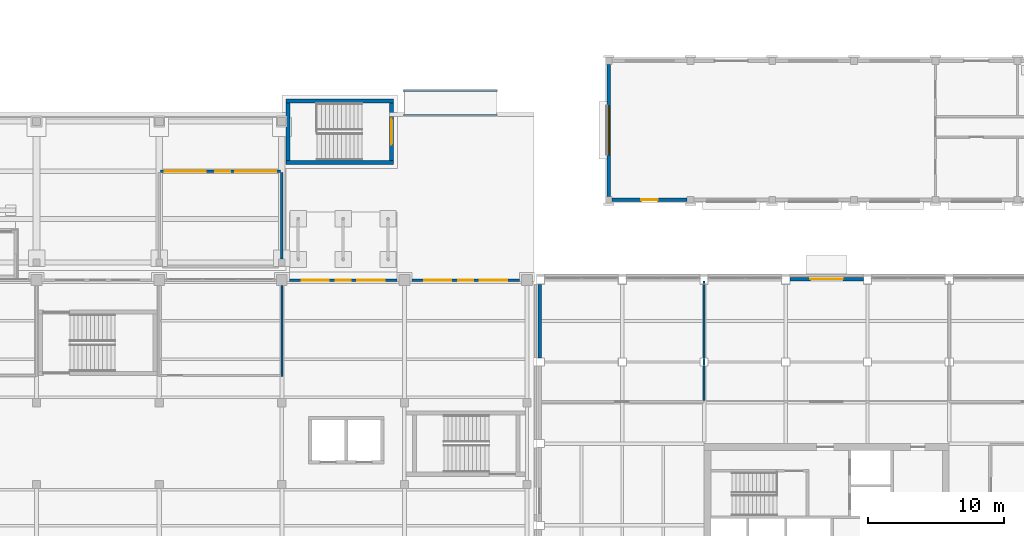
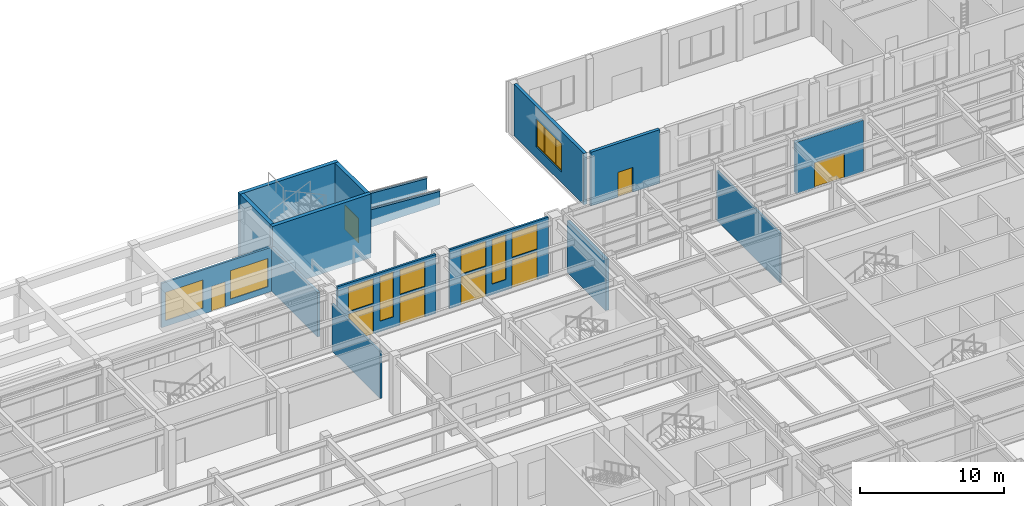
# One storey, part 51 of 77: 16 walls, 9 windows, 8 doors, 17 openings.
"""IFC4 building model written with IfcOpenShell, lengths in metres."""

from ifc_helpers import new_model, si_unit, direction, frame, frame_2d, origin, place, context, subcontext, project, spatial, polyline, rectangle, outline, extrude, material, layer, layer_set, type_object, element, fill, save


model = new_model("IFC4")

# Units and contexts
model_context = context("Model", 3, precision=1e-05, world=origin(), true_north=direction((0.0, 1.0)))
body_context = subcontext(model_context, "Body", "Model", "MODEL_VIEW")
ifc_project = project(units=[si_unit("LENGTHUNIT", "METRE"), si_unit("AREAUNIT", "SQUARE_METRE"), si_unit("VOLUMEUNIT", "CUBIC_METRE"), si_unit("PLANEANGLEUNIT", "RADIAN"), si_unit("MASSUNIT", "GRAM", prefix="KILO")], contexts=[model_context])

# Site, building, storey
site_placement = place(None, origin())
site = spatial("IfcSite", under=ifc_project, at=site_placement, CompositionType="ELEMENT")
building_placement = place(site_placement, origin())
building = spatial("IfcBuilding", under=site, at=building_placement, Name="Aravalli Gate Trade Fair Centre", CompositionType="ELEMENT")
storey_placement = place(building_placement, origin())
storey = spatial("IfcBuildingStorey", under=building, at=storey_placement, Name="L00", CompositionType="ELEMENT", Elevation=0.0)

# Wall
ifc_material_1 = material(Name="Concrete block masonry", Category="masonry")
ifc_layer_1 = layer(ifc_material_1, 0.199951171875)
ifc_layer_set_1 = layer_set([ifc_layer_1], Name="Concrete block masonry")
wall_type_1 = type_object("IfcWallType", Name="Arcade rear wall 200", PredefinedType="STANDARD", material=ifc_layer_set_1)
wall_1_placement = place(storey_placement, frame((141.0, 134.550048828125, 0.0), z_axis=(0.0, 0.0, 1.0), x_axis=(0.0, 1.0, 0.0)))
element("IfcWall", 1, at=wall_1_placement, inside=storey, type_object=wall_type_1, Name="Arcade side wall info E", PredefinedType="STANDARD", context=body_context, shape_type="SweptSolid", body=[
    extrude(rectangle(XDim=6.369873046875, YDim=0.199951171875, at=frame_2d((3.18505859375, 0.0))), origin(), (0.0, 0.0, 1.0), 3.75),
])

# Wall, openings, door, windows
ifc_material_2 = material(Name="Aluminium frame with glass", Category="aluminium")
ifc_layer_2 = layer(ifc_material_2, 0.159912109375)
ifc_layer_set_2 = layer_set([ifc_layer_2], Name="Aluminium frame with glass")
wall_type_2 = type_object("IfcWallType", Name="Arcade shopfront wall 160", PredefinedType="STANDARD", material=ifc_layer_set_2)
wall_2_placement = place(storey_placement, frame((132.10009765625, 141.0, 0.0), z_axis=(0.0, 0.0, 1.0), x_axis=(1.0, 0.0, 0.0)))
wall_2 = element("IfcWall", 2, at=wall_2_placement, inside=storey, type_object=wall_type_2, Name="Arcade shopfront info", PredefinedType="STANDARD", context=body_context, shape_type="SweptSolid", body=[
    extrude(rectangle(XDim=8.7998046875, YDim=0.159912109375, at=frame_2d((4.39990234375, 0.0))), origin(), (0.0, 0.0, 1.0), 3.75),
])
opening_1_placement = place(wall_2_placement, frame((4.0, 0.0, 0.0)))
opening_1 = element("IfcOpeningElement", 3, at=opening_1_placement, cuts=wall_2, Name="Opening P-L00-01", PredefinedType="OPENING", context=body_context, shape_type="SweptSolid", body=[
    extrude(rectangle(XDim=1.10009765625, YDim=2.10009765625, at=frame_2d((0.550048828125, 1.050048828125))), frame((0.0, 0.08984375, 0.0), z_axis=(0.0, -1.0, 0.0), x_axis=(1.0, 0.0, 0.0)), (0.0, 0.0, 1.0), 0.179931640625),
])
opening_2_placement = place(wall_2_placement, frame((0.300048828125, 0.0, 0.5)))
opening_2 = element("IfcOpeningElement", 4, at=opening_2_placement, cuts=wall_2, Name="Opening AWN1", PredefinedType="OPENING", context=body_context, shape_type="SweptSolid", body=[
    extrude(rectangle(XDim=3.0, YDim=2.39990234375, at=frame_2d((1.5, 1.199951171875))), frame((0.0, 0.08984375, 0.0), z_axis=(0.0, -1.0, 0.0), x_axis=(1.0, 0.0, 0.0)), (0.0, 0.0, 1.0), 0.179931640625),
])
opening_3_placement = place(wall_2_placement, frame((5.5, 0.0, 0.5)))
opening_3 = element("IfcOpeningElement", 5, at=opening_3_placement, cuts=wall_2, Name="Opening AWN1", PredefinedType="OPENING", context=body_context, shape_type="SweptSolid", body=[
    extrude(rectangle(XDim=3.0, YDim=2.39990234375, at=frame_2d((1.5, 1.199951171875))), frame((0.0, 0.08984375, 0.0), z_axis=(0.0, -1.0, 0.0), x_axis=(1.0, 0.0, 0.0)), (0.0, 0.0, 1.0), 0.179931640625),
])
ifc_material_3 = material(Name="Aluminium and glass", Category="aluminium")
door_type_1 = type_object("IfcDoorType", Name="Arcade door, single 1100 x 2100", OperationType="SINGLE_SWING_LEFT", PredefinedType="NOTDEFINED", material=ifc_material_3)
door_1_placement = place(opening_1_placement, origin())
door_1 = element("IfcDoor", 6, at=door_1_placement, inside=storey, type_object=door_type_1, Name="Information desk door", OperationType="SINGLE_SWING_LEFT", OverallHeight=2.10009765625, OverallWidth=1.10009765625, PredefinedType="NOTDEFINED", context=body_context, shape_type="SweptSolid", body=[
    extrude(rectangle(XDim=1.10009765625, YDim=2.10009765625, at=frame_2d((0.550048828125, 1.050048828125))), frame((0.0, 0.02490234375, 0.0), z_axis=(0.0, -1.0, 0.0), x_axis=(1.0, 0.0, 0.0)), (0.0, 0.0, 1.0), 0.050048828125),
])
fill(opening_1, door_1)
window_type_1 = type_object("IfcWindowType", Name="Arcade shopfront glazing 3000 x 2400", PartitioningType="SINGLE_PANEL", PredefinedType="WINDOW", material=ifc_material_3)
window_1_placement = place(opening_2_placement, origin())
window_1 = element("IfcWindow", 7, at=window_1_placement, inside=storey, type_object=window_type_1, Name="Information desk window 1", OverallHeight=2.39990234375, OverallWidth=3.0, PartitioningType="SINGLE_PANEL", PredefinedType="WINDOW", context=body_context, shape_type="SweptSolid", body=[
    extrude(rectangle(XDim=3.0, YDim=2.39990234375, at=frame_2d((1.5, 1.199951171875))), frame((0.0, 0.030029296875, 0.0), z_axis=(0.0, -1.0, 0.0), x_axis=(1.0, 0.0, 0.0)), (0.0, 0.0, 1.0), 0.06005859375),
])
fill(opening_2, window_1)
window_2_placement = place(opening_3_placement, origin())
window_2 = element("IfcWindow", 8, at=window_2_placement, inside=storey, type_object=window_type_1, Name="Information desk window 2", OverallHeight=2.39990234375, OverallWidth=3.0, PartitioningType="SINGLE_PANEL", PredefinedType="WINDOW", context=body_context, shape_type="SweptSolid", body=[
    extrude(rectangle(XDim=3.0, YDim=2.39990234375, at=frame_2d((1.5, 1.199951171875))), frame((0.0, 0.030029296875, 0.0), z_axis=(0.0, -1.0, 0.0), x_axis=(1.0, 0.0, 0.0)), (0.0, 0.0, 1.0), 0.06005859375),
])
fill(opening_3, window_2)

# Walls
ifc_material_4 = material(Name="Concrete M40", Category="concrete")
ifc_layer_3 = layer(ifc_material_4, 0.300048828125)
ifc_layer_set_3 = layer_set([ifc_layer_3], Name="Concrete M40")
wall_type_3 = type_object("IfcWallType", Name="Arcade stair wall 300", PredefinedType="SHEAR", material=ifc_layer_set_3)
for number, where, z_axis, x_axis, name in (
    (9, (141.300048828125, 141.64990234375, -0.39990234375), (0.0, 0.0, 1.0), (1.0, 0.0, 0.0), "Arcade stair east wall S L00"),
    (10, (141.300048828125, 146.14990234375, -0.39990234375), (0.0, 0.0, 1.0), (1.0, 0.0, 0.0), "Arcade stair east wall N L00"),
):
    element("IfcWall", number, at=place(storey_placement, frame(where, z_axis=z_axis, x_axis=x_axis)), inside=storey, type_object=wall_type_3, Name=name, PredefinedType="SHEAR", context=body_context, shape_type="SweptSolid", body=[
        extrude(rectangle(XDim=7.89990234375, YDim=0.300048828125, at=frame_2d((3.949951171875, 0.0))), origin(), (0.0, 0.0, 1.0), 5.39990234375),
    ])
wall_3_placement = place(storey_placement, frame((141.449951171875, 141.800048828125, -0.39990234375), z_axis=(0.0, 0.0, 1.0), x_axis=(0.0, 1.0, 0.0)))
element("IfcWall", 11, at=wall_3_placement, inside=storey, type_object=wall_type_3, Name="Arcade stair east wall W L00", PredefinedType="SHEAR", context=body_context, shape_type="SweptSolid", body=[
    extrude(rectangle(XDim=4.199951171875, YDim=0.300048828125, at=frame_2d((2.10009765625, 0.0))), origin(), (0.0, 0.0, 1.0), 5.39990234375),
])

# Wall, opening, door
wall_4_placement = place(storey_placement, frame((149.050048828125, 141.800048828125, -0.39990234375), z_axis=(0.0, 0.0, 1.0), x_axis=(0.0, 1.0, 0.0)))
wall_4 = element("IfcWall", 12, at=wall_4_placement, inside=storey, type_object=wall_type_3, Name="Arcade stair east wall E L00", PredefinedType="SHEAR", context=body_context, shape_type="SweptSolid", body=[
    extrude(rectangle(XDim=4.199951171875, YDim=0.300048828125, at=frame_2d((2.10009765625, 0.0))), origin(), (0.0, 0.0, 1.0), 5.39990234375),
])
opening_4_placement = place(wall_4_placement, frame((1.14990234375, 0.0, 0.39990234375)))
opening_4 = element("IfcOpeningElement", 13, at=opening_4_placement, cuts=wall_4, Name="Opening P-L00-06", PredefinedType="OPENING", context=body_context, shape_type="SweptSolid", body=[
    extrude(rectangle(XDim=1.89990234375, YDim=2.10009765625, at=frame_2d((0.949951171875, 1.050048828125))), frame((0.0, 0.159912109375, 0.0), z_axis=(0.0, -1.0, 0.0), x_axis=(1.0, 0.0, 0.0)), (0.0, 0.0, 1.0), 0.320068359375),
])
ifc_material_5 = material(Name="Steel, fire rated", Category="steel")
door_type_2 = type_object("IfcDoorType", Name="Concourse stair door 1900 x 2100", OperationType="DOUBLE_DOOR_SINGLE_SWING", PredefinedType="NOTDEFINED", material=ifc_material_5)
door_2_placement = place(opening_4_placement, origin())
door_2 = element("IfcDoor", 14, at=door_2_placement, inside=storey, type_object=door_type_2, Name="Arcade stair east door E", OperationType="DOUBLE_DOOR_SINGLE_SWING", OverallHeight=2.10009765625, OverallWidth=1.89990234375, PredefinedType="NOTDEFINED", context=body_context, shape_type="SweptSolid", body=[
    extrude(rectangle(XDim=1.89990234375, YDim=2.10009765625, at=frame_2d((0.949951171875, 1.050048828125))), frame((0.0, 0.02490234375, 0.0), z_axis=(0.0, -1.0, 0.0), x_axis=(1.0, 0.0, 0.0)), (0.0, 0.0, 1.0), 0.050048828125),
])
fill(opening_4, door_2)

# Walls
ifc_material_6 = material(Name="Concrete M30", Category="concrete")
ifc_layer_4 = layer(ifc_material_6, 0.14990234375, Name="Structural wall")
ifc_material_7 = material(Name="Dholpur sandstone cladding", Category="masonry")
ifc_layer_5 = layer(ifc_material_7, 0.050048828125, Name="Stone cladding")
ifc_layer_set_4 = layer_set([ifc_layer_4, ifc_layer_5], Name="Concourse plaza ramp retaining wall 200")
wall_type_4 = type_object("IfcWallType", Name="Concourse plaza ramp retaining wall 200", PredefinedType="STANDARD", material=ifc_layer_set_4)
for number, where, z_axis, x_axis, name in (
    (15, (150.0, 145.10009765625, -0.64990234375), (0.0, 0.0, 1.0), (1.0, 0.0, 0.0), "Plaza ramp 2 retaining wall a"),
    (16, (150.0, 146.89990234375, -0.64990234375), (0.0, 0.0, 1.0), (1.0, 0.0, 0.0), "Plaza ramp 2 retaining wall b"),
):
    element("IfcWall", number, at=place(storey_placement, frame(where, z_axis=z_axis, x_axis=x_axis)), inside=storey, type_object=wall_type_4, Name=name, PredefinedType="STANDARD", context=body_context, shape_type="SweptSolid", body=[
        extrude(outline(polyline([(0.0, 0.0), (6.75, 0.0), (6.75, 1.099853515625), (0.0, 1.5498046875), (0.0, 0.0)])), frame((0.0, 0.10009765625, 0.0), z_axis=(0.0, -1.0, 0.0), x_axis=(1.0, 0.0, 0.0)), (0.0, 0.0, 1.0), 0.199951171875),
    ])

# Wall, openings, windows, doors
ifc_material_8 = material(Name="Aluminium frame with terracotta panels", Category="masonry")
ifc_layer_6 = layer(ifc_material_8, 0.159912109375)
ifc_layer_set_5 = layer_set([ifc_layer_6], Name="Aluminium frame with terracotta panels")
wall_type_5 = type_object("IfcWallType", Name="Entrance screen wall 160", PredefinedType="STANDARD", material=ifc_layer_set_5)
wall_5_placement = place(storey_placement, frame((141.550048828125, 133.0, 0.0), z_axis=(0.0, 0.0, 1.0), x_axis=(1.0, 0.0, 0.0)))
wall_5 = element("IfcWall", 17, at=wall_5_placement, inside=storey, type_object=wall_type_5, Name="Entrance screen wall bay 17", PredefinedType="STANDARD", context=body_context, shape_type="SweptSolid", body=[
    extrude(rectangle(XDim=7.89990234375, YDim=0.159912109375, at=frame_2d((3.949951171875, 0.0))), origin(), (0.0, 0.0, 1.0), 5.0),
])
opening_5_placement = place(wall_5_placement, frame((0.89990234375, 0.0, 0.0)))
opening_5 = element("IfcOpeningElement", 18, at=opening_5_placement, cuts=wall_5, Name="Opening C-L00-20", PredefinedType="OPENING", context=body_context, shape_type="SweptSolid", body=[
    extrude(rectangle(XDim=2.0, YDim=2.39990234375, at=frame_2d((1.0, 1.199951171875))), frame((0.0, 0.08984375, 0.0), z_axis=(0.0, -1.0, 0.0), x_axis=(1.0, 0.0, 0.0)), (0.0, 0.0, 1.0), 0.179931640625),
])
opening_6_placement = place(wall_5_placement, frame((0.89990234375, 0.0, 2.60009765625)))
opening_6 = element("IfcOpeningElement", 19, at=opening_6_placement, cuts=wall_5, Name="Opening WT1", PredefinedType="OPENING", context=body_context, shape_type="SweptSolid", body=[
    extrude(rectangle(XDim=2.0, YDim=2.10009765625, at=frame_2d((1.0, 1.050048828125))), frame((0.0, 0.08984375, 0.0), z_axis=(0.0, -1.0, 0.0), x_axis=(1.0, 0.0, 0.0)), (0.0, 0.0, 1.0), 0.179931640625),
])
opening_7_placement = place(wall_5_placement, frame((5.0, 0.0, 0.0)))
opening_7 = element("IfcOpeningElement", 20, at=opening_7_placement, cuts=wall_5, Name="Opening C-L00-21", PredefinedType="OPENING", context=body_context, shape_type="SweptSolid", body=[
    extrude(rectangle(XDim=2.0, YDim=2.39990234375, at=frame_2d((1.0, 1.199951171875))), frame((0.0, 0.08984375, 0.0), z_axis=(0.0, -1.0, 0.0), x_axis=(1.0, 0.0, 0.0)), (0.0, 0.0, 1.0), 0.179931640625),
])
opening_8_placement = place(wall_5_placement, frame((5.0, 0.0, 2.60009765625)))
opening_8 = element("IfcOpeningElement", 21, at=opening_8_placement, cuts=wall_5, Name="Opening WT1", PredefinedType="OPENING", context=body_context, shape_type="SweptSolid", body=[
    extrude(rectangle(XDim=2.0, YDim=2.10009765625, at=frame_2d((1.0, 1.050048828125))), frame((0.0, 0.08984375, 0.0), z_axis=(0.0, -1.0, 0.0), x_axis=(1.0, 0.0, 0.0)), (0.0, 0.0, 1.0), 0.179931640625),
])
opening_9_placement = place(wall_5_placement, frame((3.39990234375, 0.0, 0.89990234375)))
opening_9 = element("IfcOpeningElement", 22, at=opening_9_placement, cuts=wall_5, Name="Opening WT4", PredefinedType="OPENING", context=body_context, shape_type="SweptSolid", body=[
    extrude(rectangle(XDim=1.10009765625, YDim=3.800048828125, at=frame_2d((0.550048828125, 1.89990234375))), frame((0.0, 0.08984375, 0.0), z_axis=(0.0, -1.0, 0.0), x_axis=(1.0, 0.0, 0.0)), (0.0, 0.0, 1.0), 0.179931640625),
])
window_type_2 = type_object("IfcWindowType", Name="Entrance side light 1100 x 3800", PartitioningType="SINGLE_PANEL", PredefinedType="WINDOW", material=ifc_material_3)
window_3_placement = place(opening_9_placement, origin())
window_3 = element("IfcWindow", 23, at=window_3_placement, inside=storey, type_object=window_type_2, Name="Entrance side light bay 17", OverallHeight=3.800048828125, OverallWidth=1.10009765625, PartitioningType="SINGLE_PANEL", PredefinedType="WINDOW", context=body_context, shape_type="SweptSolid", body=[
    extrude(rectangle(XDim=1.10009765625, YDim=3.800048828125, at=frame_2d((0.550048828125, 1.89990234375))), frame((0.0, 0.030029296875, 0.0), z_axis=(0.0, -1.0, 0.0), x_axis=(1.0, 0.0, 0.0)), (0.0, 0.0, 1.0), 0.06005859375),
])
fill(opening_9, window_3)
window_type_3 = type_object("IfcWindowType", Name="Entrance transom light 2000 x 2100", PartitioningType="SINGLE_PANEL", PredefinedType="WINDOW", material=ifc_material_3)
window_4_placement = place(opening_6_placement, origin())
window_4 = element("IfcWindow", 24, at=window_4_placement, inside=storey, type_object=window_type_3, Name="Entrance transom light bay 17.1", OverallHeight=2.10009765625, OverallWidth=2.0, PartitioningType="SINGLE_PANEL", PredefinedType="WINDOW", context=body_context, shape_type="SweptSolid", body=[
    extrude(rectangle(XDim=2.0, YDim=2.10009765625, at=frame_2d((1.0, 1.050048828125))), frame((0.0, 0.030029296875, 0.0), z_axis=(0.0, -1.0, 0.0), x_axis=(1.0, 0.0, 0.0)), (0.0, 0.0, 1.0), 0.06005859375),
])
fill(opening_6, window_4)
window_5_placement = place(opening_8_placement, origin())
window_5 = element("IfcWindow", 25, at=window_5_placement, inside=storey, type_object=window_type_3, Name="Entrance transom light bay 17.2", OverallHeight=2.10009765625, OverallWidth=2.0, PartitioningType="SINGLE_PANEL", PredefinedType="WINDOW", context=body_context, shape_type="SweptSolid", body=[
    extrude(rectangle(XDim=2.0, YDim=2.10009765625, at=frame_2d((1.0, 1.050048828125))), frame((0.0, 0.030029296875, 0.0), z_axis=(0.0, -1.0, 0.0), x_axis=(1.0, 0.0, 0.0)), (0.0, 0.0, 1.0), 0.06005859375),
])
fill(opening_8, window_5)
door_type_3 = type_object("IfcDoorType", Name="Exit door, double leaf 2000 x 2400", OperationType="DOUBLE_DOOR_SINGLE_SWING", PredefinedType="NOTDEFINED", material=ifc_material_3)
door_3_placement = place(opening_5_placement, origin())
door_3 = element("IfcDoor", 26, at=door_3_placement, inside=storey, type_object=door_type_3, Name="Entrance door bay 17.1", OperationType="DOUBLE_DOOR_SINGLE_SWING", OverallHeight=2.39990234375, OverallWidth=2.0, PredefinedType="NOTDEFINED", context=body_context, shape_type="SweptSolid", body=[
    extrude(rectangle(XDim=2.0, YDim=2.39990234375, at=frame_2d((1.0, 1.199951171875))), frame((0.0, 0.02490234375, 0.0), z_axis=(0.0, -1.0, 0.0), x_axis=(1.0, 0.0, 0.0)), (0.0, 0.0, 1.0), 0.050048828125),
])
fill(opening_5, door_3)
door_4_placement = place(opening_7_placement, origin())
door_4 = element("IfcDoor", 27, at=door_4_placement, inside=storey, type_object=door_type_3, Name="Entrance door bay 17.2", OperationType="DOUBLE_DOOR_SINGLE_SWING", OverallHeight=2.39990234375, OverallWidth=2.0, PredefinedType="NOTDEFINED", context=body_context, shape_type="SweptSolid", body=[
    extrude(rectangle(XDim=2.0, YDim=2.39990234375, at=frame_2d((1.0, 1.199951171875))), frame((0.0, 0.02490234375, 0.0), z_axis=(0.0, -1.0, 0.0), x_axis=(1.0, 0.0, 0.0)), (0.0, 0.0, 1.0), 0.050048828125),
])
fill(opening_7, door_4)

wall_6_placement = place(storey_placement, frame((150.550048828125, 133.0, 0.0), z_axis=(0.0, 0.0, 1.0), x_axis=(1.0, 0.0, 0.0)))
wall_6 = element("IfcWall", 28, at=wall_6_placement, inside=storey, type_object=wall_type_5, Name="Entrance screen wall bay 18", PredefinedType="STANDARD", context=body_context, shape_type="SweptSolid", body=[
    extrude(rectangle(XDim=7.89990234375, YDim=0.159912109375, at=frame_2d((3.949951171875, 0.0))), origin(), (0.0, 0.0, 1.0), 5.0),
])
opening_10_placement = place(wall_6_placement, frame((0.89990234375, 0.0, 0.0)))
opening_10 = element("IfcOpeningElement", 29, at=opening_10_placement, cuts=wall_6, Name="Opening C-L00-22", PredefinedType="OPENING", context=body_context, shape_type="SweptSolid", body=[
    extrude(rectangle(XDim=2.0, YDim=2.39990234375, at=frame_2d((1.0, 1.199951171875))), frame((0.0, 0.08984375, 0.0), z_axis=(0.0, -1.0, 0.0), x_axis=(1.0, 0.0, 0.0)), (0.0, 0.0, 1.0), 0.179931640625),
])
opening_11_placement = place(wall_6_placement, frame((0.89990234375, 0.0, 2.60009765625)))
opening_11 = element("IfcOpeningElement", 30, at=opening_11_placement, cuts=wall_6, Name="Opening WT1", PredefinedType="OPENING", context=body_context, shape_type="SweptSolid", body=[
    extrude(rectangle(XDim=2.0, YDim=2.10009765625, at=frame_2d((1.0, 1.050048828125))), frame((0.0, 0.08984375, 0.0), z_axis=(0.0, -1.0, 0.0), x_axis=(1.0, 0.0, 0.0)), (0.0, 0.0, 1.0), 0.179931640625),
])
opening_12_placement = place(wall_6_placement, frame((5.0, 0.0, 0.0)))
opening_12 = element("IfcOpeningElement", 31, at=opening_12_placement, cuts=wall_6, Name="Opening C-L00-23", PredefinedType="OPENING", context=body_context, shape_type="SweptSolid", body=[
    extrude(rectangle(XDim=2.0, YDim=2.39990234375, at=frame_2d((1.0, 1.199951171875))), frame((0.0, 0.08984375, 0.0), z_axis=(0.0, -1.0, 0.0), x_axis=(1.0, 0.0, 0.0)), (0.0, 0.0, 1.0), 0.179931640625),
])
opening_13_placement = place(wall_6_placement, frame((5.0, 0.0, 2.60009765625)))
opening_13 = element("IfcOpeningElement", 32, at=opening_13_placement, cuts=wall_6, Name="Opening WT1", PredefinedType="OPENING", context=body_context, shape_type="SweptSolid", body=[
    extrude(rectangle(XDim=2.0, YDim=2.10009765625, at=frame_2d((1.0, 1.050048828125))), frame((0.0, 0.08984375, 0.0), z_axis=(0.0, -1.0, 0.0), x_axis=(1.0, 0.0, 0.0)), (0.0, 0.0, 1.0), 0.179931640625),
])
opening_14_placement = place(wall_6_placement, frame((3.39990234375, 0.0, 0.89990234375)))
opening_14 = element("IfcOpeningElement", 33, at=opening_14_placement, cuts=wall_6, Name="Opening WT4", PredefinedType="OPENING", context=body_context, shape_type="SweptSolid", body=[
    extrude(rectangle(XDim=1.10009765625, YDim=3.800048828125, at=frame_2d((0.550048828125, 1.89990234375))), frame((0.0, 0.08984375, 0.0), z_axis=(0.0, -1.0, 0.0), x_axis=(1.0, 0.0, 0.0)), (0.0, 0.0, 1.0), 0.179931640625),
])
window_6_placement = place(opening_14_placement, origin())
window_6 = element("IfcWindow", 34, at=window_6_placement, inside=storey, type_object=window_type_2, Name="Entrance side light bay 18", OverallHeight=3.800048828125, OverallWidth=1.10009765625, PartitioningType="SINGLE_PANEL", PredefinedType="WINDOW", context=body_context, shape_type="SweptSolid", body=[
    extrude(rectangle(XDim=1.10009765625, YDim=3.800048828125, at=frame_2d((0.550048828125, 1.89990234375))), frame((0.0, 0.030029296875, 0.0), z_axis=(0.0, -1.0, 0.0), x_axis=(1.0, 0.0, 0.0)), (0.0, 0.0, 1.0), 0.06005859375),
])
fill(opening_14, window_6)
window_7_placement = place(opening_11_placement, origin())
window_7 = element("IfcWindow", 35, at=window_7_placement, inside=storey, type_object=window_type_3, Name="Entrance transom light bay 18.1", OverallHeight=2.10009765625, OverallWidth=2.0, PartitioningType="SINGLE_PANEL", PredefinedType="WINDOW", context=body_context, shape_type="SweptSolid", body=[
    extrude(rectangle(XDim=2.0, YDim=2.10009765625, at=frame_2d((1.0, 1.050048828125))), frame((0.0, 0.030029296875, 0.0), z_axis=(0.0, -1.0, 0.0), x_axis=(1.0, 0.0, 0.0)), (0.0, 0.0, 1.0), 0.06005859375),
])
fill(opening_11, window_7)
window_8_placement = place(opening_13_placement, origin())
window_8 = element("IfcWindow", 36, at=window_8_placement, inside=storey, type_object=window_type_3, Name="Entrance transom light bay 18.2", OverallHeight=2.10009765625, OverallWidth=2.0, PartitioningType="SINGLE_PANEL", PredefinedType="WINDOW", context=body_context, shape_type="SweptSolid", body=[
    extrude(rectangle(XDim=2.0, YDim=2.10009765625, at=frame_2d((1.0, 1.050048828125))), frame((0.0, 0.030029296875, 0.0), z_axis=(0.0, -1.0, 0.0), x_axis=(1.0, 0.0, 0.0)), (0.0, 0.0, 1.0), 0.06005859375),
])
fill(opening_13, window_8)
door_5_placement = place(opening_10_placement, origin())
door_5 = element("IfcDoor", 37, at=door_5_placement, inside=storey, type_object=door_type_3, Name="Entrance door bay 18.1", OperationType="DOUBLE_DOOR_SINGLE_SWING", OverallHeight=2.39990234375, OverallWidth=2.0, PredefinedType="NOTDEFINED", context=body_context, shape_type="SweptSolid", body=[
    extrude(rectangle(XDim=2.0, YDim=2.39990234375, at=frame_2d((1.0, 1.199951171875))), frame((0.0, 0.02490234375, 0.0), z_axis=(0.0, -1.0, 0.0), x_axis=(1.0, 0.0, 0.0)), (0.0, 0.0, 1.0), 0.050048828125),
])
fill(opening_10, door_5)
door_6_placement = place(opening_12_placement, origin())
door_6 = element("IfcDoor", 38, at=door_6_placement, inside=storey, type_object=door_type_3, Name="Entrance door bay 18.2", OperationType="DOUBLE_DOOR_SINGLE_SWING", OverallHeight=2.39990234375, OverallWidth=2.0, PredefinedType="NOTDEFINED", context=body_context, shape_type="SweptSolid", body=[
    extrude(rectangle(XDim=2.0, YDim=2.39990234375, at=frame_2d((1.0, 1.199951171875))), frame((0.0, 0.02490234375, 0.0), z_axis=(0.0, -1.0, 0.0), x_axis=(1.0, 0.0, 0.0)), (0.0, 0.0, 1.0), 0.050048828125),
])
fill(opening_12, door_6)

# Walls
ifc_material_9 = material(Name="Gypsum board")
ifc_layer_7 = layer(ifc_material_9, 0.02490234375, Name="Gypsum board lining")
ifc_material_10 = material(Name="Galvanised stud framing")
ifc_layer_8 = layer(ifc_material_10, 0.10009765625, Name="Stud framing")
ifc_layer_9 = layer(ifc_material_9, 0.02490234375, Name="Gypsum board lining")
ifc_layer_set_6 = layer_set([ifc_layer_7, ifc_layer_8, ifc_layer_9], Name="Partition wall 150")
wall_type_6 = type_object("IfcWallType", Name="Partition wall 150", PredefinedType="PARTITIONING", material=ifc_layer_set_6)
wall_7_placement = place(storey_placement, frame((141.0, 125.925048828125, 0.0), z_axis=(0.0, 0.0, 1.0), x_axis=(0.0, 1.0, 0.0)))
element("IfcWall", 39, at=wall_7_placement, inside=storey, type_object=wall_type_6, Name="Partition 14100 L00", PredefinedType="PARTITIONING", context=body_context, shape_type="SweptSolid", body=[
    extrude(rectangle(XDim=6.675048828125, YDim=0.14990234375, at=frame_2d((3.33740234375, 0.0))), origin(), (0.0, 0.0, 1.0), 4.0),
])
ifc_material_11 = material(Name="Blockwork with fire-rated lining", Category="masonry")
ifc_layer_10 = layer(ifc_material_11, 0.14990234375)
ifc_layer_set_7 = layer_set([ifc_layer_10], Name="Blockwork with fire-rated lining")
wall_type_7 = type_object("IfcWallType", Name="Wing partition 150 (EI 60, corridor wall)", PredefinedType="PARTITIONING", material=ifc_layer_set_7)
wall_8_placement = place(storey_placement, frame((172.0, 124.14990234375, 0.0), z_axis=(0.0, 0.0, 1.0), x_axis=(0.0, 1.0, 0.0)))
element("IfcWall", 40, at=wall_8_placement, inside=storey, type_object=wall_type_7, Name="Partition NP1 L00", PredefinedType="PARTITIONING", context=body_context, shape_type="SweptSolid", body=[
    extrude(rectangle(XDim=8.800048828125, YDim=0.14990234375, at=frame_2d((4.39990234375, 0.0))), origin(), (0.0, 0.0, 1.0), 4.199951171875),
])

# Wall, opening, door
ifc_layer_11 = layer(ifc_material_1, 0.2099609375, Name="Block masonry")
ifc_material_12 = material(Name="Terracotta cladding", Category="masonry")
ifc_layer_12 = layer(ifc_material_12, 0.0400390625, Name="Terracotta cladding")
ifc_layer_set_8 = layer_set([ifc_layer_11, ifc_layer_12], Name="Wing terracotta clad infill wall 250")
wall_type_8 = type_object("IfcWallType", Name="Wing terracotta clad infill wall 250", PredefinedType="SOLIDWALL", material=ifc_layer_set_8)
wall_9_placement = place(storey_placement, frame((178.300048828125, 133.074951171875, 0.0), z_axis=(0.0, 0.0, 1.0), x_axis=(1.0, 0.0, 0.0)))
wall_9 = element("IfcWall", 41, at=wall_9_placement, inside=storey, type_object=wall_type_8, Name="Facade wall N3 L00", PredefinedType="SOLIDWALL", context=body_context, shape_type="SweptSolid", body=[
    extrude(rectangle(XDim=5.39990234375, YDim=0.25, at=frame_2d((2.699951171875, 0.0))), origin(), (0.0, 0.0, 1.0), 4.35009765625),
])
opening_15_placement = place(wall_9_placement, frame((1.5, 0.0, 0.0)))
opening_15 = element("IfcOpeningElement", 42, at=opening_15_placement, cuts=wall_9, Name="Opening T-L00-184", PredefinedType="OPENING", context=body_context, shape_type="SweptSolid", body=[
    extrude(rectangle(XDim=2.39990234375, YDim=2.10009765625, at=frame_2d((1.199951171875, 1.050048828125))), frame((0.0, 0.135009765625, 0.0), z_axis=(0.0, -1.0, 0.0), x_axis=(1.0, 0.0, 0.0)), (0.0, 0.0, 1.0), 0.27001953125),
])
door_type_4 = type_object("IfcDoorType", Name="Wing glazed entrance door 2400 x 2100", OperationType="DOUBLE_DOOR_SINGLE_SWING", PredefinedType="DOOR", material=ifc_material_3)
door_7_placement = place(opening_15_placement, origin())
door_7 = element("IfcDoor", 43, at=door_7_placement, inside=storey, type_object=door_type_4, Name="Door T-L00-184", OperationType="DOUBLE_DOOR_SINGLE_SWING", OverallHeight=2.10009765625, OverallWidth=2.39990234375, PredefinedType="DOOR", context=body_context, shape_type="SweptSolid", body=[
    extrude(rectangle(XDim=2.39990234375, YDim=2.10009765625, at=frame_2d((1.199951171875, 1.050048828125))), frame((0.0, 0.02490234375, 0.0), z_axis=(0.0, -1.0, 0.0), x_axis=(1.0, 0.0, 0.0)), (0.0, 0.0, 1.0), 0.050048828125),
])
fill(opening_15, door_7)

wall_10_placement = place(storey_placement, frame((165.25, 138.89990234375, 0.0), z_axis=(0.0, 0.0, 1.0), x_axis=(1.0, 0.0, 0.0)))
wall_10 = element("IfcWall", 44, at=wall_10_placement, inside=storey, type_object=wall_type_8, Name="Pavilion wall S1", PredefinedType="SOLIDWALL", context=body_context, shape_type="SweptSolid", body=[
    extrude(rectangle(XDim=5.5, YDim=0.25, at=frame_2d((2.75, 0.0))), origin(), (0.0, 0.0, 1.0), 4.550048828125),
])
opening_16_placement = place(wall_10_placement, frame((2.14990234375, 0.0, 0.0)))
opening_16 = element("IfcOpeningElement", 45, at=opening_16_placement, cuts=wall_10, Name="Opening T-L00-203", PredefinedType="OPENING", context=body_context, shape_type="SweptSolid", body=[
    extrude(rectangle(XDim=1.199951171875, YDim=2.10009765625, at=frame_2d((0.60009765625, 1.050048828125))), frame((0.0, 0.135009765625, 0.0), z_axis=(0.0, -1.0, 0.0), x_axis=(1.0, 0.0, 0.0)), (0.0, 0.0, 1.0), 0.27001953125),
])
ifc_material_13 = material(Name="Timber and steel", Category="steel")
door_type_5 = type_object("IfcDoorType", Name="Wing door 1200 x 2100", OperationType="SINGLE_SWING_LEFT", PredefinedType="DOOR", material=ifc_material_13)
door_8_placement = place(opening_16_placement, frame((1.199951171875, 0.0, 0.0), z_axis=(0.0, 0.0, 1.0), x_axis=(-1.0, 0.0, 0.0)))
door_8 = element("IfcDoor", 46, at=door_8_placement, inside=storey, type_object=door_type_5, Name="Cafe exit T-L00-203", OperationType="SINGLE_SWING_RIGHT", OverallHeight=2.10009765625, OverallWidth=1.199951171875, PredefinedType="DOOR", context=body_context, shape_type="SweptSolid", body=[
    extrude(rectangle(XDim=1.199951171875, YDim=2.10009765625, at=frame_2d((0.60009765625, 1.050048828125))), frame((0.0, 0.02490234375, 0.0), z_axis=(0.0, -1.0, 0.0), x_axis=(1.0, 0.0, 0.0)), (0.0, 0.0, 1.0), 0.050048828125),
])
fill(opening_16, door_8)

# Wall, opening, window
wall_11_placement = place(storey_placement, frame((165.0, 139.14990234375, 0.0), z_axis=(0.0, 0.0, 1.0), x_axis=(0.0, 1.0, 0.0)))
wall_11 = element("IfcWall", 47, at=wall_11_placement, inside=storey, type_object=wall_type_8, Name="Pavilion wall W", PredefinedType="SOLIDWALL", context=body_context, shape_type="SweptSolid", body=[
    extrude(rectangle(XDim=9.7001953125, YDim=0.25, at=frame_2d((4.85009765625, 0.0))), origin(), (0.0, 0.0, 1.0), 4.35009765625),
])
opening_17_placement = place(wall_11_placement, frame((3.050048828125, 0.0, 0.89990234375)))
opening_17 = element("IfcOpeningElement", 48, at=opening_17_placement, cuts=wall_11, Name="Opening TWN1", PredefinedType="OPENING", context=body_context, shape_type="SweptSolid", body=[
    extrude(rectangle(XDim=3.60009765625, YDim=2.39990234375, at=frame_2d((1.800048828125, 1.199951171875))), frame((0.0, 0.135009765625, 0.0), z_axis=(0.0, -1.0, 0.0), x_axis=(1.0, 0.0, 0.0)), (0.0, 0.0, 1.0), 0.27001953125),
])
window_type_4 = type_object("IfcWindowType", Name="Wing chicago window 3600 x 2400", PartitioningType="TRIPLE_PANEL_VERTICAL", PredefinedType="WINDOW", material=ifc_material_3)
window_9_placement = place(opening_17_placement, origin())
window_9 = element("IfcWindow", 49, at=window_9_placement, inside=storey, type_object=window_type_4, Name="Pavilion window W", OverallHeight=2.39990234375, OverallWidth=3.60009765625, PartitioningType="TRIPLE_PANEL_VERTICAL", PredefinedType="WINDOW", context=body_context, shape_type="SweptSolid", body=[
    extrude(outline(polyline([(0.0, 0.0), (3.60009765625, 0.0), (3.60009765625, 2.39990234375), (0.0, 2.39990234375), (0.0, 0.0)]), holes=[polyline([(0.06005859375, 0.06005859375), (0.9599609375, 0.06005859375), (0.9599609375, 2.33984375), (0.06005859375, 2.33984375), (0.06005859375, 0.06005859375)]), polyline([(1.06005859375, 0.06005859375), (2.539794921875, 0.06005859375), (2.539794921875, 2.33984375), (1.06005859375, 2.33984375), (1.06005859375, 0.06005859375)]), polyline([(2.639892578125, 0.06005859375), (3.539794921875, 0.06005859375), (3.539794921875, 2.33984375), (2.639892578125, 2.33984375), (2.639892578125, 0.06005859375)])]), frame((0.0, 0.030029296875, 0.0), z_axis=(0.0, -1.0, 0.0), x_axis=(1.0, 0.0, 0.0)), (0.0, 0.0, 1.0), 0.06005859375),
    extrude(rectangle(XDim=0.923828125, YDim=2.3037109375, at=frame_2d((0.510009765625, 1.199951171875))), frame((0.0, 0.010009765625, 0.0), z_axis=(0.0, -1.0, 0.0), x_axis=(1.0, 0.0, 0.0)), (0.0, 0.0, 1.0), 0.02001953125),
    extrude(rectangle(XDim=1.503662109375, YDim=2.3037109375, at=frame_2d((1.7998046875, 1.199951171875))), frame((0.0, 0.010009765625, 0.0), z_axis=(0.0, -1.0, 0.0), x_axis=(1.0, 0.0, 0.0)), (0.0, 0.0, 1.0), 0.02001953125),
    extrude(rectangle(XDim=0.923828125, YDim=2.3037109375, at=frame_2d((3.08984375, 1.199951171875))), frame((0.0, 0.010009765625, 0.0), z_axis=(0.0, -1.0, 0.0), x_axis=(1.0, 0.0, 0.0)), (0.0, 0.0, 1.0), 0.02001953125),
])
fill(opening_17, window_9)

# Wall
ifc_layer_13 = layer(ifc_material_1, 0.2099609375, Name="Block masonry")
ifc_layer_14 = layer(ifc_material_12, 0.0400390625, Name="Terracotta cladding")
ifc_layer_set_9 = layer_set([ifc_layer_13, ifc_layer_14], Name="Wing west closing wall 250")
wall_type_9 = type_object("IfcWallType", Name="Wing west closing wall 250", PredefinedType="SOLIDWALL", material=ifc_layer_set_9)
wall_12_placement = place(storey_placement, frame((159.925048828125, 127.300048828125, 0.0), z_axis=(0.0, 0.0, 1.0), x_axis=(0.0, 1.0, 0.0)))
element("IfcWall", 50, at=wall_12_placement, inside=storey, type_object=wall_type_9, Name="Facade wall W6 L00", PredefinedType="SOLIDWALL", context=body_context, shape_type="SweptSolid", body=[
    extrude(rectangle(XDim=5.39990234375, YDim=0.25, at=frame_2d((2.699951171875, 0.0))), origin(), (0.0, 0.0, 1.0), 4.35009765625),
])

save(model, "model.ifc")
